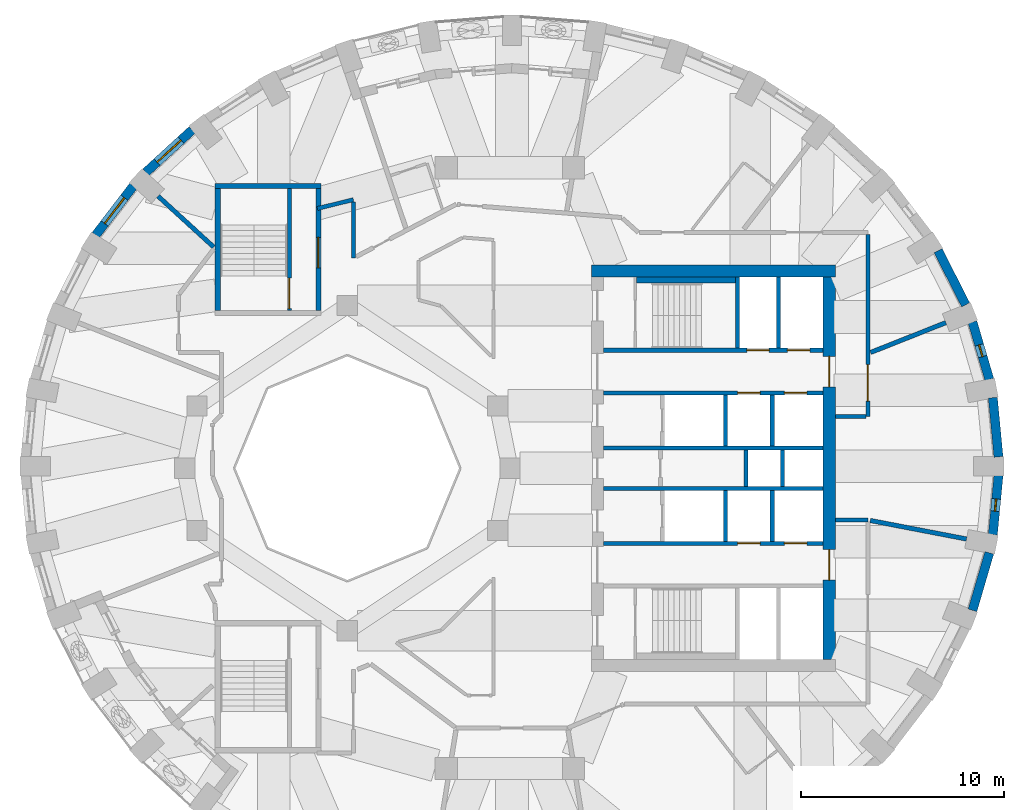
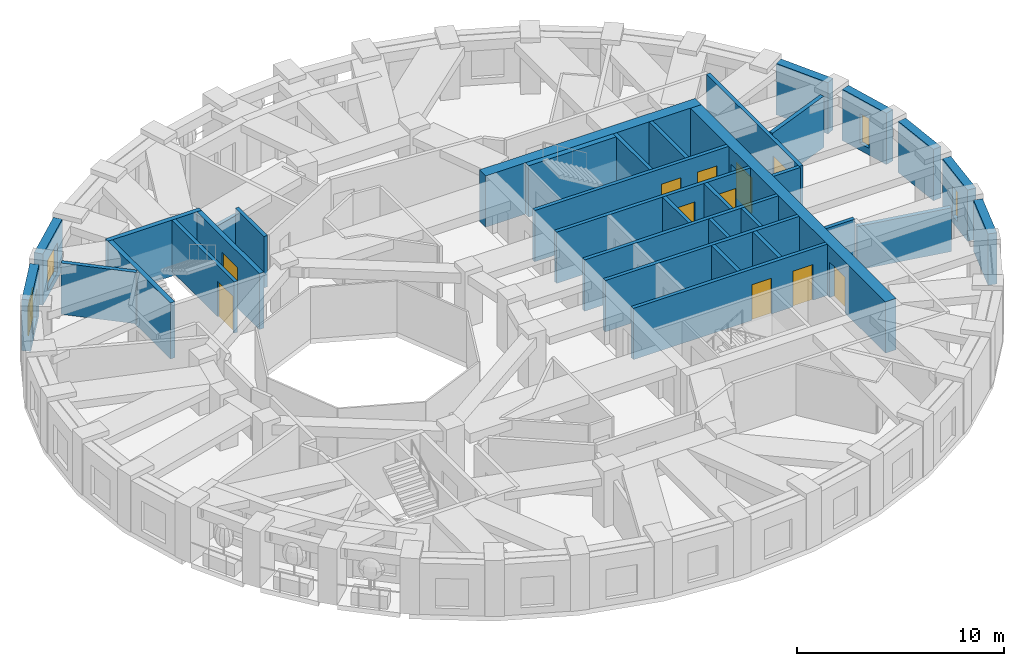
# One storey, part 6 of 11: 35 walls, 11 doors, 4 windows, 15 openings.
"""IFC4 building model written with IfcOpenShell, lengths in metres."""

from ifc_helpers import new_model, si_unit, direction, frame, frame_2d, origin, place, context, subcontext, project, spatial, rectangle, extrude, material, layer, layer_set, type_object, element, fill, save


model = new_model("IFC4")

# Units and contexts
model_context = context("Model", 3, precision=1e-05, world=origin(), true_north=direction((0.0, 1.0)))
body_context = subcontext(model_context, "Body", "Model", "MODEL_VIEW")
ifc_project = project(units=[si_unit("LENGTHUNIT", "METRE"), si_unit("AREAUNIT", "SQUARE_METRE"), si_unit("VOLUMEUNIT", "CUBIC_METRE"), si_unit("PLANEANGLEUNIT", "RADIAN"), si_unit("MASSUNIT", "GRAM", prefix="KILO")], contexts=[model_context])

# Site, building, storey
site_placement = place(None, origin())
site = spatial("IfcSite", under=ifc_project, at=site_placement, CompositionType="ELEMENT")
building_placement = place(site_placement, origin())
building = spatial("IfcBuilding", under=site, at=building_placement, Name="Taillehof Tower", CompositionType="ELEMENT")
storey_placement = place(building_placement, frame((0.0, 0.0, 174.800048828125)))
storey = spatial("IfcBuildingStorey", under=building, at=storey_placement, Name="L49", CompositionType="ELEMENT", Elevation=174.800048828125)

# Wall
ifc_material_1 = material(Name="Brick masonry", Category="masonry")
ifc_layer_1 = layer(ifc_material_1, 0.449951171875)
ifc_layer_set_1 = layer_set([ifc_layer_1], Name="Brick infill wall 450")
wall_type_1 = type_object("IfcWallType", Name="Brick infill wall 450", PredefinedType="SOLIDWALL", material=ifc_layer_set_1)
wall_1_placement = place(storey_placement, frame((24.030517578125, 0.55517578125, 0.0), z_axis=(0.0, 0.0, 1.0), x_axis=(-0.095265737322, 0.995451876935, 0.0)))
element("IfcWall", 1, at=wall_1_placement, inside=storey, type_object=wall_type_1, Name="Brick wall L49 bay 1", PredefinedType="SOLIDWALL", context=body_context, shape_type="SweptSolid", body=[
    extrude(rectangle(XDim=2.9267578125, YDim=0.449951171875, at=frame_2d((1.46337890625, 0.0))), origin(), (0.0, 0.0, 1.0), 3.02001953125),
])

# Wall, opening, window
wall_2_placement = place(storey_placement, frame((23.579833984375, 4.3623046875, 0.0), z_axis=(0.0, 0.0, 1.0), x_axis=(-0.281049481624, 0.959693278542, 0.0)))
wall_2 = element("IfcWall", 2, at=wall_2_placement, inside=storey, type_object=wall_type_1, Name="Brick wall L49 bay 2", PredefinedType="SOLIDWALL", context=body_context, shape_type="SweptSolid", body=[
    extrude(rectangle(XDim=2.947509765625, YDim=0.449951171875, at=frame_2d((1.4736328125, 0.0))), origin(), (0.0, 0.0, 1.0), 3.02001953125),
])
opening_1_placement = place(wall_2_placement, frame((1.173583984375, 0.0, 0.39990234375)))
opening_1 = element("IfcOpeningElement", 3, at=opening_1_placement, cuts=wall_2, Name="Opening W6", PredefinedType="OPENING", context=body_context, shape_type="SweptSolid", body=[
    extrude(rectangle(XDim=0.60009765625, YDim=1.75, at=frame_2d((0.300048828125, 0.875))), frame((0.0, 0.23486328125, 0.0), z_axis=(0.0, -1.0, 0.0), x_axis=(1.0, 0.0, 0.0)), (0.0, 0.0, 1.0), 0.469970703125),
])
ifc_material_2 = material(Name="Aluminium window frame with clear double glazing", Category="aluminium")
window_type_1 = type_object("IfcWindowType", Name="Slot window 600x1750", PartitioningType="SINGLE_PANEL", PredefinedType="WINDOW", material=ifc_material_2)
window_1_placement = place(opening_1_placement, origin())
window_1 = element("IfcWindow", 4, at=window_1_placement, inside=storey, type_object=window_type_1, Name="W6", OverallHeight=1.75, OverallWidth=0.60009765625, PartitioningType="SINGLE_PANEL", PredefinedType="WINDOW", context=body_context, shape_type="SweptSolid", body=[
    extrude(rectangle(XDim=0.60009765625, YDim=1.75, at=frame_2d((0.300048828125, 0.875))), frame((0.0, 0.034912109375, 0.0), z_axis=(0.0, -1.0, 0.0), x_axis=(1.0, 0.0, 0.0)), (0.0, 0.0, 1.0), 0.06005859375),
])
fill(opening_1, window_1)

# Wall
wall_3_placement = place(storey_placement, frame((22.415283203125, 8.036865234375, 0.0), z_axis=(0.0, 0.0, 1.0), x_axis=(-0.454133999889, 0.890933392653, 0.0)))
element("IfcWall", 5, at=wall_3_placement, inside=storey, type_object=wall_type_1, Name="Brick wall L49 bay 3", PredefinedType="SOLIDWALL", context=body_context, shape_type="SweptSolid", body=[
    extrude(rectangle(XDim=2.98583984375, YDim=0.449951171875, at=frame_2d((1.492919921875, 0.0))), origin(), (0.0, 0.0, 1.0), 3.02001953125),
])

# Wall, opening, window
wall_4_placement = place(storey_placement, frame((-15.630126953125, 16.638671875, 0.0), z_axis=(0.0, 0.0, 1.0), x_axis=(-0.737808755941, -0.675009807082, 0.0)))
wall_4 = element("IfcWall", 6, at=wall_4_placement, inside=storey, type_object=wall_type_1, Name="Brick wall L49 bay 14", PredefinedType="SOLIDWALL", context=body_context, shape_type="SweptSolid", body=[
    extrude(rectangle(XDim=3.094482421875, YDim=0.449951171875, at=frame_2d((1.54736328125, 0.0))), origin(), (0.0, 0.0, 1.0), 3.02001953125),
])
opening_2_placement = place(wall_4_placement, frame((0.747314453125, 0.0, 0.39990234375)))
opening_2 = element("IfcOpeningElement", 7, at=opening_2_placement, cuts=wall_4, Name="Opening W3", PredefinedType="OPENING", context=body_context, shape_type="SweptSolid", body=[
    extrude(rectangle(XDim=1.60009765625, YDim=1.75, at=frame_2d((0.800048828125, 0.875))), frame((0.0, 0.23486328125, 0.0), z_axis=(0.0, -1.0, 0.0), x_axis=(1.0, 0.0, 0.0)), (0.0, 0.0, 1.0), 0.469970703125),
])
ifc_material_3 = material(Name="Aluminium window frame with clear double glazing", Category="aluminium")
window_type_2 = type_object("IfcWindowType", Name="Deep-set window 1600x1750", PartitioningType="SINGLE_PANEL", PredefinedType="WINDOW", material=ifc_material_3)
window_2_placement = place(opening_2_placement, origin())
window_2 = element("IfcWindow", 8, at=window_2_placement, inside=storey, type_object=window_type_2, Name="W3", OverallHeight=1.75, OverallWidth=1.60009765625, PartitioningType="SINGLE_PANEL", PredefinedType="WINDOW", context=body_context, shape_type="SweptSolid", body=[
    extrude(rectangle(XDim=1.60009765625, YDim=1.75, at=frame_2d((0.800048828125, 0.875))), frame((0.0, 0.034912109375, 0.0), z_axis=(0.0, -1.0, 0.0), x_axis=(1.0, 0.0, 0.0)), (0.0, 0.0, 1.0), 0.06005859375),
])
fill(opening_2, window_2)

wall_5_placement = place(storey_placement, frame((-18.528076171875, 13.878662109375, 0.0), z_axis=(0.0, 0.0, 1.0), x_axis=(-0.607817056371, -0.794077090706, 0.0)))
wall_5 = element("IfcWall", 9, at=wall_5_placement, inside=storey, type_object=wall_type_1, Name="Brick wall L49 bay 15", PredefinedType="SOLIDWALL", context=body_context, shape_type="SweptSolid", body=[
    extrude(rectangle(XDim=3.037109375, YDim=0.449951171875, at=frame_2d((1.5185546875, 0.0))), origin(), (0.0, 0.0, 1.0), 3.02001953125),
])
opening_3_placement = place(wall_5_placement, frame((0.718505859375, 0.0, 0.39990234375)))
opening_3 = element("IfcOpeningElement", 10, at=opening_3_placement, cuts=wall_5, Name="Opening W3", PredefinedType="OPENING", context=body_context, shape_type="SweptSolid", body=[
    extrude(rectangle(XDim=1.60009765625, YDim=1.75, at=frame_2d((0.800048828125, 0.875))), frame((0.0, 0.23486328125, 0.0), z_axis=(0.0, -1.0, 0.0), x_axis=(1.0, 0.0, 0.0)), (0.0, 0.0, 1.0), 0.469970703125),
])
window_3_placement = place(opening_3_placement, origin())
window_3 = element("IfcWindow", 11, at=window_3_placement, inside=storey, type_object=window_type_2, Name="W3", OverallHeight=1.75, OverallWidth=1.60009765625, PartitioningType="SINGLE_PANEL", PredefinedType="WINDOW", context=body_context, shape_type="SweptSolid", body=[
    extrude(rectangle(XDim=1.60009765625, YDim=1.75, at=frame_2d((0.800048828125, 0.875))), frame((0.0, 0.034912109375, 0.0), z_axis=(0.0, -1.0, 0.0), x_axis=(1.0, 0.0, 0.0)), (0.0, 0.0, 1.0), 0.06005859375),
])
fill(opening_3, window_3)

# Wall
wall_6_placement = place(storey_placement, frame((22.75146484375, -6.990966796875, 0.0), z_axis=(0.0, 0.0, 1.0), x_axis=(0.281049481624, 0.959693278542, 0.0)))
element("IfcWall", 12, at=wall_6_placement, inside=storey, type_object=wall_type_1, Name="Brick wall L49 bay 35", PredefinedType="SOLIDWALL", context=body_context, shape_type="SweptSolid", body=[
    extrude(rectangle(XDim=2.947509765625, YDim=0.449951171875, at=frame_2d((1.4736328125, 0.0))), origin(), (0.0, 0.0, 1.0), 3.02001953125),
])

# Wall, opening, window
wall_7_placement = place(storey_placement, frame((23.751708984375, -3.2685546875, 0.0), z_axis=(0.0, 0.0, 1.0), x_axis=(0.095257827044, 0.995452633924, 0.0)))
wall_7 = element("IfcWall", 13, at=wall_7_placement, inside=storey, type_object=wall_type_1, Name="Brick wall L49 bay 36", PredefinedType="SOLIDWALL", context=body_context, shape_type="SweptSolid", body=[
    extrude(rectangle(XDim=2.927001953125, YDim=0.449951171875, at=frame_2d((1.46337890625, 0.0))), origin(), (0.0, 0.0, 1.0), 3.02001953125),
])
opening_4_placement = place(wall_7_placement, frame((1.163330078125, 0.0, 0.39990234375)))
opening_4 = element("IfcOpeningElement", 14, at=opening_4_placement, cuts=wall_7, Name="Opening W6", PredefinedType="OPENING", context=body_context, shape_type="SweptSolid", body=[
    extrude(rectangle(XDim=0.60009765625, YDim=1.75, at=frame_2d((0.300048828125, 0.875))), frame((0.0, 0.23486328125, 0.0), z_axis=(0.0, -1.0, 0.0), x_axis=(1.0, 0.0, 0.0)), (0.0, 0.0, 1.0), 0.469970703125),
])
window_4_placement = place(opening_4_placement, origin())
window_4 = element("IfcWindow", 15, at=window_4_placement, inside=storey, type_object=window_type_1, Name="W6", OverallHeight=1.75, OverallWidth=0.60009765625, PartitioningType="SINGLE_PANEL", PredefinedType="WINDOW", context=body_context, shape_type="SweptSolid", body=[
    extrude(rectangle(XDim=0.60009765625, YDim=1.75, at=frame_2d((0.300048828125, 0.875))), frame((0.0, 0.034912109375, 0.0), z_axis=(0.0, -1.0, 0.0), x_axis=(1.0, 0.0, 0.0)), (0.0, 0.0, 1.0), 0.06005859375),
])
fill(opening_4, window_4)

# Walls
ifc_material_4 = material(Name="Calcium silicate masonry", Category="masonry")
ifc_layer_2 = layer(ifc_material_4, 0.199951171875)
ifc_layer_set_2 = layer_set([ifc_layer_2], Name="Compartment wall calcium silicate 200")
wall_type_2 = type_object("IfcWallType", Name="Compartment wall calcium silicate 200", PredefinedType="PARTITIONING", material=ifc_layer_set_2)
for number, where, z_axis, x_axis, name in (
    (16, (11.60009765625, -0.89990234375, 0.0), (0.0, 0.0, 1.0), (0.0, 1.0, 0.0), "Compartment wall FW"),
    (17, (13.39990234375, -0.89990234375, 0.0), (0.0, 0.0, 1.0), (0.0, 1.0, 0.0), "Compartment wall FW"),
):
    element("IfcWall", number, at=place(storey_placement, frame(where, z_axis=z_axis, x_axis=x_axis)), inside=storey, type_object=wall_type_2, Name=name, PredefinedType="PARTITIONING", context=body_context, shape_type="SweptSolid", body=[
        extrude(rectangle(XDim=1.7998046875, YDim=0.199951171875, at=frame_2d((0.89990234375, 0.0))), origin(), (0.0, 0.0, 1.0), 3.02001953125),
    ])
ifc_material_5 = material(Name="Gypsum board on steel studs, two layers each side", Category="steel")
ifc_layer_3 = layer(ifc_material_5, 0.199951171875)
ifc_layer_set_3 = layer_set([ifc_layer_3], Name="Compartment wall corridor 200")
wall_type_3 = type_object("IfcWallType", Name="Compartment wall corridor 200", PredefinedType="PARTITIONING", material=ifc_layer_set_3)
wall_8_placement = place(storey_placement, frame((-9.4736328125, 12.77294921875, 0.0), z_axis=(0.0, 0.0, 1.0), x_axis=(0.971086426401, 0.238728197874, 0.0)))
element("IfcWall", 18, at=wall_8_placement, inside=storey, type_object=wall_type_3, Name="Compartment wall", PredefinedType="PARTITIONING", context=body_context, shape_type="SweptSolid", body=[
    extrude(rectangle(XDim=1.826416015625, YDim=0.199951171875, at=frame_2d((0.9130859375, 0.0))), origin(), (0.0, 0.0, 1.0), 2.570068359375),
])
wall_9_placement = place(storey_placement, frame((-7.699951171875, 13.0888671875, 0.0), z_axis=(0.0, 0.0, 1.0), x_axis=(0.0, -1.0, 0.0)))
element("IfcWall", 19, at=wall_9_placement, inside=storey, type_object=wall_type_3, Name="Compartment wall", PredefinedType="PARTITIONING", context=body_context, shape_type="SweptSolid", body=[
    extrude(rectangle(XDim=2.754150390625, YDim=0.199951171875, at=frame_2d((1.376953125, 0.0))), origin(), (0.0, 0.0, 1.0), 3.02001953125),
])

# Wall, opening, door
wall_10_placement = place(storey_placement, frame((17.60009765625, 11.5, 0.0), z_axis=(0.0, 0.0, 1.0), x_axis=(0.0, -1.0, 0.0)))
wall_10 = element("IfcWall", 20, at=wall_10_placement, inside=storey, type_object=wall_type_3, Name="Compartment wall", PredefinedType="PARTITIONING", context=body_context, shape_type="SweptSolid", body=[
    extrude(rectangle(XDim=8.962158203125, YDim=0.199951171875, at=frame_2d((4.48095703125, 0.0))), origin(), (0.0, 0.0, 1.0), 3.02001953125),
])
opening_5_placement = place(wall_10_placement, frame((6.404296875, 0.0, 0.0)))
opening_5 = element("IfcOpeningElement", 21, at=opening_5_placement, cuts=wall_10, Name="Opening D4953", PredefinedType="OPENING", context=body_context, shape_type="SweptSolid", body=[
    extrude(rectangle(XDim=1.800048828125, YDim=2.10009765625, at=frame_2d((0.89990234375, 1.050048828125))), frame((0.0, 0.10986328125, 0.0), z_axis=(0.0, -1.0, 0.0), x_axis=(1.0, 0.0, 0.0)), (0.0, 0.0, 1.0), 0.219970703125),
])
ifc_material_6 = material(Name="Timber door leaf in steel frame", Category="steel")
door_type_1 = type_object("IfcDoorType", Name="Lounge and meeting room double door EI 30 1800 x 2100", OperationType="SINGLE_SWING_LEFT", PredefinedType="DOOR", material=ifc_material_6)
door_1_placement = place(opening_5_placement, origin())
door_1 = element("IfcDoor", 22, at=door_1_placement, inside=storey, type_object=door_type_1, Name="D4953", OperationType="DOUBLE_DOOR_SINGLE_SWING", OverallHeight=2.10009765625, OverallWidth=1.800048828125, PredefinedType="DOOR", context=body_context, shape_type="SweptSolid", body=[
    extrude(rectangle(XDim=1.800048828125, YDim=2.10009765625, at=frame_2d((0.89990234375, 1.050048828125))), frame((0.0, 0.02490234375, 0.0), z_axis=(0.0, -1.0, 0.0), x_axis=(1.0, 0.0, 0.0)), (0.0, 0.0, 1.0), 0.050048828125),
])
fill(opening_5, door_1)

# Walls
wall_11_placement = place(storey_placement, frame((17.5, 2.537841796875, 0.0), z_axis=(0.0, 0.0, 1.0), x_axis=(-1.0, 0.0, 0.0)))
element("IfcWall", 23, at=wall_11_placement, inside=storey, type_object=wall_type_3, Name="Compartment wall", PredefinedType="PARTITIONING", context=body_context, shape_type="SweptSolid", body=[
    extrude(rectangle(XDim=1.49609375, YDim=0.199951171875, at=frame_2d((0.748046875, 0.0))), origin(), (0.0, 0.0, 1.0), 3.02001953125),
])
wall_12_placement = place(storey_placement, frame((16.00390625, -2.537841796875, 0.0), z_axis=(0.0, 0.0, 1.0), x_axis=(1.0, 0.0, 0.0)))
element("IfcWall", 24, at=wall_12_placement, inside=storey, type_object=wall_type_3, Name="Compartment wall", PredefinedType="PARTITIONING", context=body_context, shape_type="SweptSolid", body=[
    extrude(rectangle(XDim=1.59619140625, YDim=0.199951171875, at=frame_2d((0.798095703125, 0.0))), origin(), (0.0, 0.0, 1.0), 3.02001953125),
])
ifc_material_7 = material(Name="Gypsum board on double steel studs with mineral wool", Category="steel")
ifc_layer_4 = layer(ifc_material_7, 0.219970703125)
ifc_layer_set_4 = layer_set([ifc_layer_4], Name="Compartment wall guest room 220")
wall_type_4 = type_object("IfcWallType", Name="Compartment wall guest room 220", PredefinedType="PARTITIONING", material=ifc_layer_set_4)
wall_13_placement = place(storey_placement, frame((21.438720703125, 7.15966796875, 0.0), z_axis=(0.0, 0.0, 1.0), x_axis=(-0.929517399972, -0.368778257426, 0.0)))
element("IfcWall", 25, at=wall_13_placement, inside=storey, type_object=wall_type_4, Name="Compartment wall", PredefinedType="PARTITIONING", context=body_context, shape_type="SweptSolid", body=[
    extrude(rectangle(XDim=3.982177734375, YDim=0.219970703125, at=frame_2d((1.9912109375, 0.0))), origin(), (0.0, 0.0, 1.0), 3.02001953125),
])
wall_14_placement = place(storey_placement, frame((-17.310302734375, 13.381591796875, 0.0), z_axis=(0.0, 0.0, 1.0), x_axis=(0.737827699829, -0.674989100182, 0.0)))
element("IfcWall", 26, at=wall_14_placement, inside=storey, type_object=wall_type_4, Name="Compartment wall", PredefinedType="PARTITIONING", context=body_context, shape_type="SweptSolid", body=[
    extrude(rectangle(XDim=3.71435546875, YDim=0.219970703125, at=frame_2d((1.857177734375, 0.0))), origin(), (0.0, 0.0, 1.0), 3.02001953125),
])
wall_15_placement = place(storey_placement, frame((22.457275390625, -3.483154296875, 0.0), z_axis=(0.0, 0.0, 1.0), x_axis=(-0.982022686577, 0.188762928159, 0.0)))
element("IfcWall", 27, at=wall_15_placement, inside=storey, type_object=wall_type_4, Name="Compartment wall", PredefinedType="PARTITIONING", context=body_context, shape_type="SweptSolid", body=[
    extrude(rectangle(XDim=4.82421875, YDim=0.219970703125, at=frame_2d((2.412109375, 0.0))), origin(), (0.0, 0.0, 1.0), 2.570068359375),
])
ifc_material_8 = material(Name="Calcium silicate masonry", Category="masonry")
ifc_layer_5 = layer(ifc_material_8, 0.300048828125)
ifc_layer_set_5 = layer_set([ifc_layer_5], Name="Compartment wall lining calcium silicate 300")
wall_type_5 = type_object("IfcWallType", Name="Compartment wall lining calcium silicate 300", PredefinedType="PARTITIONING", material=ifc_layer_set_5)
wall_16_placement = place(storey_placement, frame((6.219970703125, 9.25, 0.0), z_axis=(0.0, 0.0, 1.0), x_axis=(1.0, 0.0, 0.0)))
element("IfcWall", 28, at=wall_16_placement, inside=storey, type_object=wall_type_5, Name="Compartment wall FW", PredefinedType="PARTITIONING", context=body_context, shape_type="SweptSolid", body=[
    extrude(rectangle(XDim=4.880126953125, YDim=0.300048828125, at=frame_2d((2.43994140625, 0.0))), origin(), (0.0, 0.0, 1.0), 3.02001953125),
])

# Wall, openings, doors
ifc_material_9 = material(Name="Concrete C80/95", Category="concrete")
ifc_layer_6 = layer(ifc_material_9, 0.60009765625)
ifc_layer_set_6 = layer_set([ifc_layer_6], Name="Core wall C80/95 600")
wall_type_6 = type_object("IfcWallType", Name="Core wall C80/95 600", PredefinedType="SHEAR", material=ifc_layer_set_6)
wall_17_placement = place(storey_placement, frame((15.699951171875, -9.39990234375, 0.0), z_axis=(0.0, 0.0, 1.0), x_axis=(0.0, 1.0, 0.0)))
wall_17 = element("IfcWall", 29, at=wall_17_placement, inside=storey, type_object=wall_type_6, Name="Core wall CW05", PredefinedType="SHEAR", context=body_context, shape_type="SweptSolid", body=[
    extrude(rectangle(XDim=18.7998046875, YDim=0.60009765625, at=frame_2d((9.39990234375, 0.0))), origin(), (0.0, 0.0, 1.0), 3.02001953125),
])
opening_6_placement = place(wall_17_placement, frame((13.39990234375, 0.0, 0.0)))
opening_6 = element("IfcOpeningElement", 30, at=opening_6_placement, cuts=wall_17, Name="Opening D4908", PredefinedType="OPENING", context=body_context, shape_type="SweptSolid", body=[
    extrude(rectangle(XDim=1.5, YDim=2.10009765625, at=frame_2d((0.75, 1.050048828125))), frame((0.0, 0.31005859375, 0.0), z_axis=(0.0, -1.0, 0.0), x_axis=(1.0, 0.0, 0.0)), (0.0, 0.0, 1.0), 0.6201171875),
])
opening_7_placement = place(wall_17_placement, frame((3.89990234375, 0.0, 0.0)))
opening_7 = element("IfcOpeningElement", 31, at=opening_7_placement, cuts=wall_17, Name="Opening D4909", PredefinedType="OPENING", context=body_context, shape_type="SweptSolid", body=[
    extrude(rectangle(XDim=1.5, YDim=2.10009765625, at=frame_2d((0.75, 1.050048828125))), frame((0.0, 0.31005859375, 0.0), z_axis=(0.0, -1.0, 0.0), x_axis=(1.0, 0.0, 0.0)), (0.0, 0.0, 1.0), 0.6201171875),
])
ifc_material_10 = material(Name="Steel-faced fire door", Category="steel")
door_type_2 = type_object("IfcDoorType", Name="Lift lobby east door 1500x2100", OperationType="DOUBLE_DOOR_SINGLE_SWING", PredefinedType="DOOR", material=ifc_material_10)
door_2_placement = place(opening_6_placement, origin())
door_2 = element("IfcDoor", 32, at=door_2_placement, inside=storey, type_object=door_type_2, Name="Lift lobby east door north", OperationType="DOUBLE_DOOR_SINGLE_SWING", OverallHeight=2.10009765625, OverallWidth=1.5, PredefinedType="DOOR", context=body_context, shape_type="SweptSolid", body=[
    extrude(rectangle(XDim=1.5, YDim=2.10009765625, at=frame_2d((0.75, 1.050048828125))), frame((0.0, 0.02490234375, 0.0), z_axis=(0.0, -1.0, 0.0), x_axis=(1.0, 0.0, 0.0)), (0.0, 0.0, 1.0), 0.050048828125),
])
fill(opening_6, door_2)
door_3_placement = place(opening_7_placement, origin())
door_3 = element("IfcDoor", 33, at=door_3_placement, inside=storey, type_object=door_type_2, Name="Lift lobby east door south", OperationType="DOUBLE_DOOR_SINGLE_SWING", OverallHeight=2.10009765625, OverallWidth=1.5, PredefinedType="DOOR", context=body_context, shape_type="SweptSolid", body=[
    extrude(rectangle(XDim=1.5, YDim=2.10009765625, at=frame_2d((0.75, 1.050048828125))), frame((0.0, 0.02490234375, 0.0), z_axis=(0.0, -1.0, 0.0), x_axis=(1.0, 0.0, 0.0)), (0.0, 0.0, 1.0), 0.050048828125),
])
fill(opening_7, door_3)

# Wall
wall_18_placement = place(storey_placement, frame((4.0, 9.699951171875, 0.0), z_axis=(0.0, 0.0, 1.0), x_axis=(1.0, 0.0, 0.0)))
element("IfcWall", 34, at=wall_18_placement, inside=storey, type_object=wall_type_6, Name="Core wall CW06", PredefinedType="SHEAR", context=body_context, shape_type="SweptSolid", body=[
    extrude(rectangle(XDim=12.0, YDim=0.60009765625, at=frame_2d((6.0, 0.0))), origin(), (0.0, 0.0, 1.0), 3.02001953125),
])

# Wall, openings, doors
ifc_material_11 = material(Name="Concrete C50/60", Category="concrete")
ifc_layer_7 = layer(ifc_material_11, 0.199951171875)
ifc_layer_set_7 = layer_set([ifc_layer_7], Name="Shaft wall C50/60 200")
wall_type_7 = type_object("IfcWallType", Name="Shaft wall C50/60 200", PredefinedType="SHEAR", material=ifc_layer_set_7)
wall_19_placement = place(storey_placement, frame((4.60009765625, 5.800048828125, 0.0), z_axis=(0.0, 0.0, 1.0), x_axis=(1.0, 0.0, 0.0)))
wall_19 = element("IfcWall", 35, at=wall_19_placement, inside=storey, type_object=wall_type_7, Name="Shaft wall SW", PredefinedType="SHEAR", context=body_context, shape_type="SweptSolid", body=[
    extrude(rectangle(XDim=10.7998046875, YDim=0.199951171875, at=frame_2d((5.39990234375, 0.0))), origin(), (0.0, 0.0, 1.0), 3.02001953125),
])
opening_8_placement = place(wall_19_placement, frame((7.050048828125, 0.0, 0.0)))
opening_8 = element("IfcOpeningElement", 36, at=opening_8_placement, cuts=wall_19, Name="Opening LD1", PredefinedType="OPENING", context=body_context, shape_type="SweptSolid", body=[
    extrude(rectangle(XDim=1.10009765625, YDim=2.10009765625, at=frame_2d((0.550048828125, 1.050048828125))), frame((0.0, 0.10986328125, 0.0), z_axis=(0.0, -1.0, 0.0), x_axis=(1.0, 0.0, 0.0)), (0.0, 0.0, 1.0), 0.219970703125),
])
opening_9_placement = place(wall_19_placement, frame((9.050048828125, 0.0, 0.0)))
opening_9 = element("IfcOpeningElement", 37, at=opening_9_placement, cuts=wall_19, Name="Opening LD1", PredefinedType="OPENING", context=body_context, shape_type="SweptSolid", body=[
    extrude(rectangle(XDim=1.10009765625, YDim=2.10009765625, at=frame_2d((0.550048828125, 1.050048828125))), frame((0.0, 0.10986328125, 0.0), z_axis=(0.0, -1.0, 0.0), x_axis=(1.0, 0.0, 0.0)), (0.0, 0.0, 1.0), 0.219970703125),
])
ifc_material_12 = material(Name="Stainless steel", Category="steel")
door_type_3 = type_object("IfcDoorType", Name="Lift landing door LD1 1100x2100", OperationType="DOUBLE_DOOR_SLIDING", PredefinedType="DOOR", material=ifc_material_12)
door_4_placement = place(opening_8_placement, origin())
door_4 = element("IfcDoor", 38, at=door_4_placement, inside=storey, type_object=door_type_3, Name="Landing door HR1", OperationType="DOUBLE_DOOR_SLIDING", OverallHeight=2.10009765625, OverallWidth=1.10009765625, PredefinedType="DOOR", context=body_context, shape_type="SweptSolid", body=[
    extrude(rectangle(XDim=1.10009765625, YDim=2.10009765625, at=frame_2d((0.550048828125, 1.050048828125))), frame((0.0, 0.02490234375, 0.0), z_axis=(0.0, -1.0, 0.0), x_axis=(1.0, 0.0, 0.0)), (0.0, 0.0, 1.0), 0.050048828125),
])
fill(opening_8, door_4)
door_5_placement = place(opening_9_placement, origin())
door_5 = element("IfcDoor", 39, at=door_5_placement, inside=storey, type_object=door_type_3, Name="Landing door HR2", OperationType="DOUBLE_DOOR_SLIDING", OverallHeight=2.10009765625, OverallWidth=1.10009765625, PredefinedType="DOOR", context=body_context, shape_type="SweptSolid", body=[
    extrude(rectangle(XDim=1.10009765625, YDim=2.10009765625, at=frame_2d((0.550048828125, 1.050048828125))), frame((0.0, 0.02490234375, 0.0), z_axis=(0.0, -1.0, 0.0), x_axis=(1.0, 0.0, 0.0)), (0.0, 0.0, 1.0), 0.050048828125),
])
fill(opening_9, door_5)

wall_20_placement = place(storey_placement, frame((4.60009765625, 3.699951171875, 0.0), z_axis=(0.0, 0.0, 1.0), x_axis=(1.0, 0.0, 0.0)))
wall_20 = element("IfcWall", 40, at=wall_20_placement, inside=storey, type_object=wall_type_7, Name="Shaft wall SW", PredefinedType="SHEAR", context=body_context, shape_type="SweptSolid", body=[
    extrude(rectangle(XDim=10.7998046875, YDim=0.199951171875, at=frame_2d((5.39990234375, 0.0))), origin(), (0.0, 0.0, 1.0), 3.02001953125),
])
opening_10_placement = place(wall_20_placement, frame((6.60009765625, 0.0, 0.0)))
opening_10 = element("IfcOpeningElement", 41, at=opening_10_placement, cuts=wall_20, Name="Opening LD1", PredefinedType="OPENING", context=body_context, shape_type="SweptSolid", body=[
    extrude(rectangle(XDim=1.10009765625, YDim=2.10009765625, at=frame_2d((0.550048828125, 1.050048828125))), frame((0.0, 0.10986328125, 0.0), z_axis=(0.0, -1.0, 0.0), x_axis=(1.0, 0.0, 0.0)), (0.0, 0.0, 1.0), 0.219970703125),
])
opening_11_placement = place(wall_20_placement, frame((8.89990234375, 0.0, 0.0)))
opening_11 = element("IfcOpeningElement", 42, at=opening_11_placement, cuts=wall_20, Name="Opening LD1", PredefinedType="OPENING", context=body_context, shape_type="SweptSolid", body=[
    extrude(rectangle(XDim=1.10009765625, YDim=2.10009765625, at=frame_2d((0.550048828125, 1.050048828125))), frame((0.0, 0.10986328125, 0.0), z_axis=(0.0, -1.0, 0.0), x_axis=(1.0, 0.0, 0.0)), (0.0, 0.0, 1.0), 0.219970703125),
])
door_6_placement = place(opening_10_placement, origin())
door_6 = element("IfcDoor", 43, at=door_6_placement, inside=storey, type_object=door_type_3, Name="Landing door HR3", OperationType="DOUBLE_DOOR_SLIDING", OverallHeight=2.10009765625, OverallWidth=1.10009765625, PredefinedType="DOOR", context=body_context, shape_type="SweptSolid", body=[
    extrude(rectangle(XDim=1.10009765625, YDim=2.10009765625, at=frame_2d((0.550048828125, 1.050048828125))), frame((0.0, 0.02490234375, 0.0), z_axis=(0.0, -1.0, 0.0), x_axis=(1.0, 0.0, 0.0)), (0.0, 0.0, 1.0), 0.050048828125),
])
fill(opening_10, door_6)
door_7_placement = place(opening_11_placement, origin())
door_7 = element("IfcDoor", 44, at=door_7_placement, inside=storey, type_object=door_type_3, Name="Landing door HR4", OperationType="DOUBLE_DOOR_SLIDING", OverallHeight=2.10009765625, OverallWidth=1.10009765625, PredefinedType="DOOR", context=body_context, shape_type="SweptSolid", body=[
    extrude(rectangle(XDim=1.10009765625, YDim=2.10009765625, at=frame_2d((0.550048828125, 1.050048828125))), frame((0.0, 0.02490234375, 0.0), z_axis=(0.0, -1.0, 0.0), x_axis=(1.0, 0.0, 0.0)), (0.0, 0.0, 1.0), 0.050048828125),
])
fill(opening_11, door_7)

# Walls
for number, where, z_axis, x_axis, name in (
    (45, (4.60009765625, 1.0, 0.0), (0.0, 0.0, 1.0), (1.0, 0.0, 0.0), "Shaft wall SW"),
    (46, (4.60009765625, -1.0, 0.0), (0.0, 0.0, 1.0), (1.0, 0.0, 0.0), "Shaft wall SW"),
):
    element("IfcWall", number, at=place(storey_placement, frame(where, z_axis=z_axis, x_axis=x_axis)), inside=storey, type_object=wall_type_7, Name=name, PredefinedType="SHEAR", context=body_context, shape_type="SweptSolid", body=[
        extrude(rectangle(XDim=10.7998046875, YDim=0.199951171875, at=frame_2d((5.39990234375, 0.0))), origin(), (0.0, 0.0, 1.0), 3.02001953125),
    ])

# Wall, openings, doors
wall_21_placement = place(storey_placement, frame((4.60009765625, -3.699951171875, 0.0), z_axis=(0.0, 0.0, 1.0), x_axis=(1.0, 0.0, 0.0)))
wall_21 = element("IfcWall", 47, at=wall_21_placement, inside=storey, type_object=wall_type_7, Name="Shaft wall SW", PredefinedType="SHEAR", context=body_context, shape_type="SweptSolid", body=[
    extrude(rectangle(XDim=10.7998046875, YDim=0.199951171875, at=frame_2d((5.39990234375, 0.0))), origin(), (0.0, 0.0, 1.0), 3.02001953125),
])
opening_12_placement = place(wall_21_placement, frame((6.60009765625, 0.0, 0.0)))
opening_12 = element("IfcOpeningElement", 48, at=opening_12_placement, cuts=wall_21, Name="Opening LD1", PredefinedType="OPENING", context=body_context, shape_type="SweptSolid", body=[
    extrude(rectangle(XDim=1.10009765625, YDim=2.10009765625, at=frame_2d((0.550048828125, 1.050048828125))), frame((0.0, 0.10986328125, 0.0), z_axis=(0.0, -1.0, 0.0), x_axis=(1.0, 0.0, 0.0)), (0.0, 0.0, 1.0), 0.219970703125),
])
opening_13_placement = place(wall_21_placement, frame((8.89990234375, 0.0, 0.0)))
opening_13 = element("IfcOpeningElement", 49, at=opening_13_placement, cuts=wall_21, Name="Opening LD1", PredefinedType="OPENING", context=body_context, shape_type="SweptSolid", body=[
    extrude(rectangle(XDim=1.10009765625, YDim=2.10009765625, at=frame_2d((0.550048828125, 1.050048828125))), frame((0.0, 0.10986328125, 0.0), z_axis=(0.0, -1.0, 0.0), x_axis=(1.0, 0.0, 0.0)), (0.0, 0.0, 1.0), 0.219970703125),
])
door_8_placement = place(opening_12_placement, origin())
door_8 = element("IfcDoor", 50, at=door_8_placement, inside=storey, type_object=door_type_3, Name="Landing door HR5", OperationType="DOUBLE_DOOR_SLIDING", OverallHeight=2.10009765625, OverallWidth=1.10009765625, PredefinedType="DOOR", context=body_context, shape_type="SweptSolid", body=[
    extrude(rectangle(XDim=1.10009765625, YDim=2.10009765625, at=frame_2d((0.550048828125, 1.050048828125))), frame((0.0, 0.02490234375, 0.0), z_axis=(0.0, -1.0, 0.0), x_axis=(1.0, 0.0, 0.0)), (0.0, 0.0, 1.0), 0.050048828125),
])
fill(opening_12, door_8)
door_9_placement = place(opening_13_placement, origin())
door_9 = element("IfcDoor", 51, at=door_9_placement, inside=storey, type_object=door_type_3, Name="Landing door HR6", OperationType="DOUBLE_DOOR_SLIDING", OverallHeight=2.10009765625, OverallWidth=1.10009765625, PredefinedType="DOOR", context=body_context, shape_type="SweptSolid", body=[
    extrude(rectangle(XDim=1.10009765625, YDim=2.10009765625, at=frame_2d((0.550048828125, 1.050048828125))), frame((0.0, 0.02490234375, 0.0), z_axis=(0.0, -1.0, 0.0), x_axis=(1.0, 0.0, 0.0)), (0.0, 0.0, 1.0), 0.050048828125),
])
fill(opening_13, door_9)

# Walls
for number, where, z_axis, x_axis, name in (
    (52, (11.199951171875, 5.89990234375, 0.0), (0.0, 0.0, 1.0), (0.0, 1.0, 0.0), "Shaft wall SW"),
    (53, (13.199951171875, 5.89990234375, 0.0), (0.0, 0.0, 1.0), (0.0, 1.0, 0.0), "Shaft wall SW"),
):
    element("IfcWall", number, at=place(storey_placement, frame(where, z_axis=z_axis, x_axis=x_axis)), inside=storey, type_object=wall_type_7, Name=name, PredefinedType="SHEAR", context=body_context, shape_type="SweptSolid", body=[
        extrude(rectangle(XDim=3.5, YDim=0.199951171875, at=frame_2d((1.75, 0.0))), origin(), (0.0, 0.0, 1.0), 3.02001953125),
    ])
for number, where, z_axis, x_axis, name in (
    (54, (10.60009765625, 1.10009765625, 0.0), (0.0, 0.0, 1.0), (0.0, 1.0, 0.0), "Shaft wall SW"),
    (55, (10.60009765625, -3.60009765625, 0.0), (0.0, 0.0, 1.0), (0.0, 1.0, 0.0), "Shaft wall SW"),
    (56, (12.89990234375, 1.10009765625, 0.0), (0.0, 0.0, 1.0), (0.0, 1.0, 0.0), "Shaft wall SW"),
    (57, (12.89990234375, -3.60009765625, 0.0), (0.0, 0.0, 1.0), (0.0, 1.0, 0.0), "Shaft wall SW"),
):
    element("IfcWall", number, at=place(storey_placement, frame(where, z_axis=z_axis, x_axis=x_axis)), inside=storey, type_object=wall_type_7, Name=name, PredefinedType="SHEAR", context=body_context, shape_type="SweptSolid", body=[
        extrude(rectangle(XDim=2.5, YDim=0.199951171875, at=frame_2d((1.25, 0.0))), origin(), (0.0, 0.0, 1.0), 3.02001953125),
    ])

# Wall, opening, door
wall_22_placement = place(storey_placement, frame((-10.85009765625, 7.75, 0.0), z_axis=(0.0, 0.0, 1.0), x_axis=(0.0, 1.0, 0.0)))
wall_22 = element("IfcWall", 58, at=wall_22_placement, inside=storey, type_object=wall_type_7, Name="Shaft wall SW", PredefinedType="SHEAR", context=body_context, shape_type="SweptSolid", body=[
    extrude(rectangle(XDim=6.0, YDim=0.199951171875, at=frame_2d((3.0, 0.0))), origin(), (0.0, 0.0, 1.0), 3.02001953125),
])
opening_14_placement = place(wall_22_placement, frame((0.10009765625, 0.0, 0.0)))
opening_14 = element("IfcOpeningElement", 59, at=opening_14_placement, cuts=wall_22, Name="Opening D4912", PredefinedType="OPENING", context=body_context, shape_type="SweptSolid", body=[
    extrude(rectangle(XDim=1.5, YDim=2.10009765625, at=frame_2d((0.75, 1.050048828125))), frame((0.0, 0.10986328125, 0.0), z_axis=(0.0, -1.0, 0.0), x_axis=(1.0, 0.0, 0.0)), (0.0, 0.0, 1.0), 0.219970703125),
])
ifc_material_13 = material(Name="Steel-faced fire door", Category="steel")
door_type_4 = type_object("IfcDoorType", Name="Stair door 1500x2100", OperationType="DOUBLE_DOOR_SINGLE_SWING", PredefinedType="DOOR", material=ifc_material_13)
door_10_placement = place(opening_14_placement, origin())
door_10 = element("IfcDoor", 60, at=door_10_placement, inside=storey, type_object=door_type_4, Name="Stair lobby door S3", OperationType="DOUBLE_DOOR_SINGLE_SWING", OverallHeight=2.10009765625, OverallWidth=1.5, PredefinedType="DOOR", context=body_context, shape_type="SweptSolid", body=[
    extrude(rectangle(XDim=1.5, YDim=2.10009765625, at=frame_2d((0.75, 1.050048828125))), frame((0.0, 0.02490234375, 0.0), z_axis=(0.0, -1.0, 0.0), x_axis=(1.0, 0.0, 0.0)), (0.0, 0.0, 1.0), 0.050048828125),
])
fill(opening_14, door_10)

# Wall
ifc_material_14 = material(Name="Concrete C50/60", Category="concrete")
ifc_layer_8 = layer(ifc_material_14, 0.25)
ifc_layer_set_8 = layer_set([ifc_layer_8], Name="Stair wall C50/60 250")
wall_type_8 = type_object("IfcWallType", Name="Stair wall C50/60 250", PredefinedType="SHEAR", material=ifc_layer_set_8)
wall_23_placement = place(storey_placement, frame((-14.375, 7.75, -0.280029296875), z_axis=(0.0, 0.0, 1.0), x_axis=(0.0, 1.0, 0.0)))
element("IfcWall", 61, at=wall_23_placement, inside=storey, type_object=wall_type_8, Name="Stair wall SC", PredefinedType="SHEAR", context=body_context, shape_type="SweptSolid", body=[
    extrude(rectangle(XDim=6.0, YDim=0.25, at=frame_2d((3.0, 0.0))), origin(), (0.0, 0.0, 1.0), 3.300048828125),
])

# Wall, opening, door
wall_24_placement = place(storey_placement, frame((-9.425048828125, 7.75, -0.280029296875), z_axis=(0.0, 0.0, 1.0), x_axis=(0.0, 1.0, 0.0)))
wall_24 = element("IfcWall", 62, at=wall_24_placement, inside=storey, type_object=wall_type_8, Name="Stair wall SC", PredefinedType="SHEAR", context=body_context, shape_type="SweptSolid", body=[
    extrude(rectangle(XDim=6.0, YDim=0.25, at=frame_2d((3.0, 0.0))), origin(), (0.0, 0.0, 1.0), 3.300048828125),
])
opening_15_placement = place(wall_24_placement, frame((2.10009765625, 0.0, 0.280029296875)))
opening_15 = element("IfcOpeningElement", 63, at=opening_15_placement, cuts=wall_24, Name="Opening D4915", PredefinedType="OPENING", context=body_context, shape_type="SweptSolid", body=[
    extrude(rectangle(XDim=1.5, YDim=2.10009765625, at=frame_2d((0.75, 1.050048828125))), frame((0.0, 0.135009765625, 0.0), z_axis=(0.0, -1.0, 0.0), x_axis=(1.0, 0.0, 0.0)), (0.0, 0.0, 1.0), 0.27001953125),
])
door_11_placement = place(opening_15_placement, origin())
door_11 = element("IfcDoor", 64, at=door_11_placement, inside=storey, type_object=door_type_4, Name="Stair door S3", OperationType="DOUBLE_DOOR_SINGLE_SWING", OverallHeight=2.10009765625, OverallWidth=1.5, PredefinedType="DOOR", context=body_context, shape_type="SweptSolid", body=[
    extrude(rectangle(XDim=1.5, YDim=2.10009765625, at=frame_2d((0.75, 1.050048828125))), frame((0.0, 0.02490234375, 0.0), z_axis=(0.0, -1.0, 0.0), x_axis=(1.0, 0.0, 0.0)), (0.0, 0.0, 1.0), 0.050048828125),
])
fill(opening_15, door_11)

# Wall
wall_25_placement = place(storey_placement, frame((-14.5, 13.875, -0.280029296875), z_axis=(0.0, 0.0, 1.0), x_axis=(1.0, 0.0, 0.0)))
element("IfcWall", 65, at=wall_25_placement, inside=storey, type_object=wall_type_8, Name="Stair wall SC", PredefinedType="SHEAR", context=body_context, shape_type="SweptSolid", body=[
    extrude(rectangle(XDim=5.199951171875, YDim=0.25, at=frame_2d((2.60009765625, 0.0))), origin(), (0.0, 0.0, 1.0), 3.300048828125),
])

save(model, "model.ifc")
